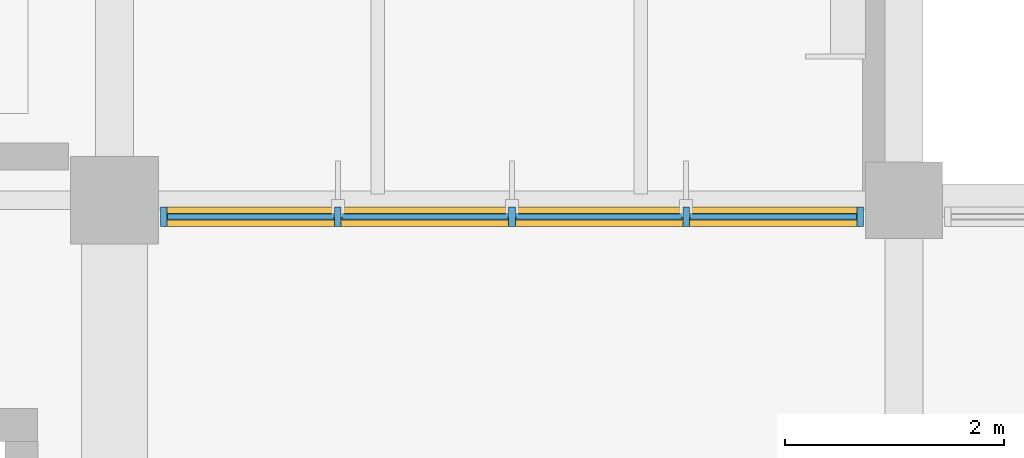
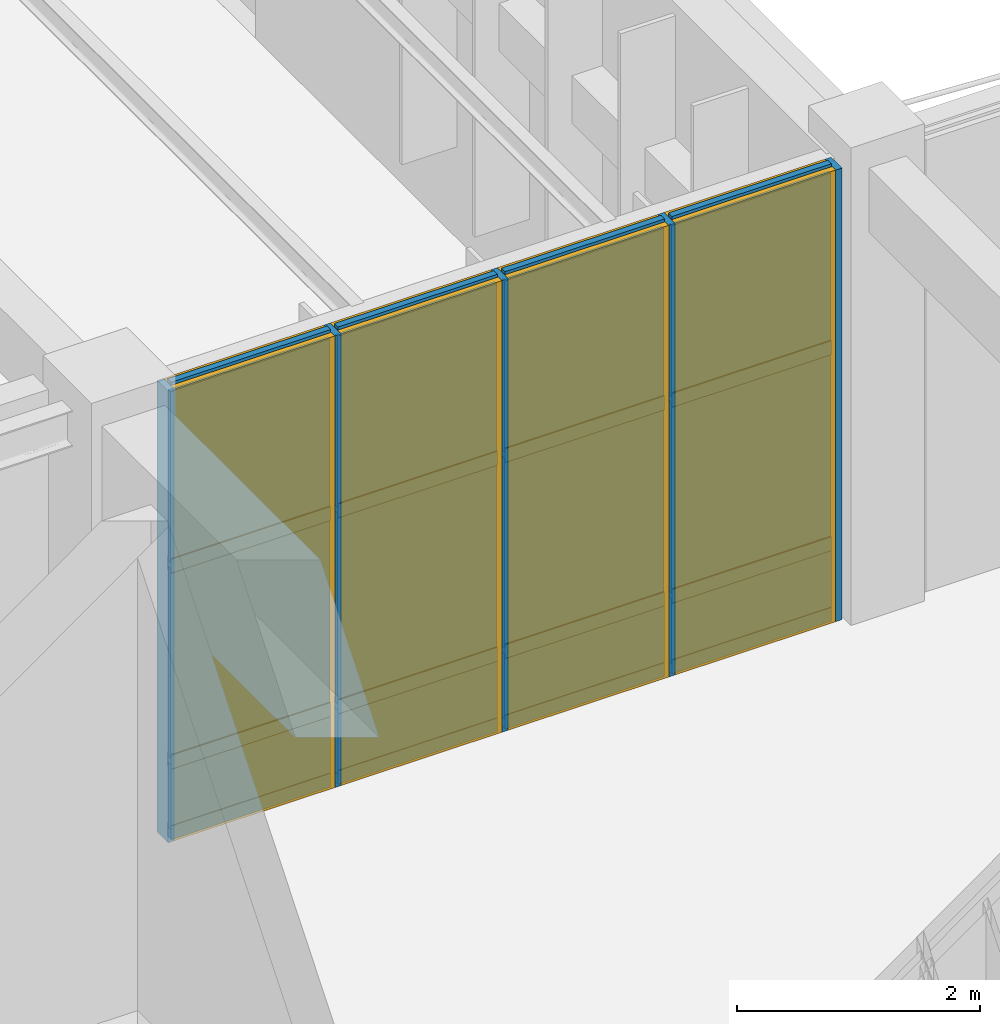
# One storey, part 90 of 122: 21 members, 12 plates, 1 curtain wall.
"""IFC4 building model written with IfcOpenShell, lengths in metres."""

import ifcopenshell
import ifcopenshell.guid

model = None  # the IFC model being written
_history = None  # IfcOwnerHistory: only IFC2X3 demands one
_inside = {}  # id of a spatial element -> (the spatial element, [elements in it])
_under = {}  # id of a project, library or spatial element -> (it, [spatial elements below it])
_declared = {}  # id of a project -> (the project, [libraries it declares])
_typed = {}  # id of a type object -> (the type object, [elements of that type])
_made_of = {}  # id of a material, layer set ... -> (it, [elements and type objects made of it])


def new_model(schema):
    """Start an empty IFC model of exactly this schema.

    Asked for "IFC4X3", IfcOpenShell would pick the latest addendum, in which some entities
    have other attributes; the version numbers below select the first issue.
    IFC2X3 requires an IfcOwnerHistory on every rooted entity: one is made here for all.
    """
    global model, _history
    if schema == "IFC4X3":
        model = ifcopenshell.file(schema_version=(4, 3, 0, 0))
    else:
        model = ifcopenshell.file(schema=schema)
    _inside.clear()
    _under.clear()
    _declared.clear()
    _typed.clear()
    _made_of.clear()
    _history = None
    if model.schema == "IFC2X3":
        org = make("IfcOrganization", Name="unknown")
        user = make(
            "IfcPersonAndOrganization",
            ThePerson=make("IfcPerson", FamilyName="unknown"),
            TheOrganization=org,
        )
        app = make(
            "IfcApplication",
            ApplicationDeveloper=org,
            Version="unknown",
            ApplicationFullName="unknown",
            ApplicationIdentifier="unknown",
        )
        _history = make(
            "IfcOwnerHistory",
            OwningUser=user,
            OwningApplication=app,
            ChangeAction="ADDED",
            CreationDate=0,
        )
    return model


def make(cls, **values):
    """One entity of the class cls with the attributes given. An attribute that is None is left unset."""
    return model.create_entity(
        cls, **{name: value for name, value in values.items() if value is not None}
    )


def rooted(cls, **values):
    """An entity with a GlobalId (a new one), such as an element, a storey or a relation."""
    return make(cls, GlobalId=ifcopenshell.guid.new(), OwnerHistory=_history, **values)


def si_unit(unit_type, name, prefix=None):
    """IfcSIUnit, for example si_unit("LENGTHUNIT", "METRE", prefix="MILLI")."""
    return make("IfcSIUnit", UnitType=unit_type, Prefix=prefix, Name=name)


def assignment(units):
    """IfcUnitAssignment: the units of a project."""
    return None if units is None else make("IfcUnitAssignment", Units=units)


def point(xyz):
    """IfcCartesianPoint."""
    return None if xyz is None else make("IfcCartesianPoint", Coordinates=xyz)


def direction(xyz):
    """IfcDirection."""
    return None if xyz is None else make("IfcDirection", DirectionRatios=xyz)


def frame(location, z_axis=None, x_axis=None):
    """IfcAxis2Placement3D, a coordinate frame: its origin and axes. An axis left out is left unset."""
    return make(
        "IfcAxis2Placement3D",
        Location=point(location),
        Axis=direction(z_axis),
        RefDirection=direction(x_axis),
    )


def frame_2d(location, x_axis=None):
    """IfcAxis2Placement2D, a coordinate frame in the plane: its origin and x axis."""
    return make(
        "IfcAxis2Placement2D", Location=point(location), RefDirection=direction(x_axis)
    )


def origin():
    """The frame at (0, 0, 0) with its axes left unset."""
    return frame((0.0, 0.0, 0.0))


def origin_2d():
    """The frame at (0, 0) in the plane with its x axis left unset."""
    return frame_2d((0.0, 0.0))


def place(relative_to, where):
    """IfcLocalPlacement: puts the frame where relative to a parent placement (None: the world)."""
    return make(
        "IfcLocalPlacement", PlacementRelTo=relative_to, RelativePlacement=where
    )


def context(
    kind, dimensions, precision=None, world=None, true_north=None, identifier=None
):
    """IfcGeometricRepresentationContext, for example the 3D "Model" context."""
    return make(
        "IfcGeometricRepresentationContext",
        ContextIdentifier=identifier,
        ContextType=kind,
        CoordinateSpaceDimension=dimensions,
        Precision=precision,
        WorldCoordinateSystem=world,
        TrueNorth=true_north,
    )


def subcontext(parent, identifier, kind, view, scale=None):
    """IfcGeometricRepresentationSubContext, for example "Body" below "Model"."""
    return make(
        "IfcGeometricRepresentationSubContext",
        ContextIdentifier=identifier,
        ContextType=kind,
        ParentContext=parent,
        TargetScale=scale,
        TargetView=view,
    )


def project(units=None, contexts=None):
    """IfcProject with its units and contexts."""
    return rooted(
        "IfcProject",
        Name="project",
        RepresentationContexts=contexts,
        UnitsInContext=assignment(units),
    )


def spatial(cls, under=None, at=None, **own):
    """A site, building, storey or space (cls), placed at a placement, below another one or the project."""
    s = rooted(cls, ObjectPlacement=at, **own)
    if under is not None:
        _under.setdefault(under.id(), (under, []))[1].append(s)
    return s


def profile(cls, at=None, kind="AREA", **sizes):
    """A parametric profile (cls). Its sizes go by their IFC names, for example OverallWidth=200.0."""
    return make(cls, ProfileType=kind, Position=at, **sizes)


def rectangle(**sizes):
    """IfcRectangleProfileDef."""
    return profile("IfcRectangleProfileDef", **sizes)


def extrude(swept, where, along, depth):
    """IfcExtrudedAreaSolid: the profile swept, set in the frame where, extruded along a direction by depth."""
    return make(
        "IfcExtrudedAreaSolid",
        SweptArea=swept,
        Position=where,
        ExtrudedDirection=direction(along),
        Depth=depth,
    )


def shape(context_of_items, identifier, shape_type, items):
    """IfcShapeRepresentation: the items that make up one representation, for example the "Body"."""
    return make(
        "IfcShapeRepresentation",
        ContextOfItems=context_of_items,
        RepresentationIdentifier=identifier,
        RepresentationType=shape_type,
        Items=items,
    )


def material(Name=None, Category=None):
    """IfcMaterial."""
    return make("IfcMaterial", Name=Name, Category=Category)


def layer(
    of_material, thickness, ventilated=None, Name=None, Category=None, Priority=None
):
    """IfcMaterialLayer: one layer of a wall or slab, of a material (None: an air gap)."""
    return make(
        "IfcMaterialLayer",
        Material=of_material,
        LayerThickness=thickness,
        IsVentilated=ventilated,
        Name=Name,
        Category=Category,
        Priority=Priority,
    )


def layer_set(layers, Name=None):
    """IfcMaterialLayerSet."""
    return make("IfcMaterialLayerSet", MaterialLayers=layers, LayerSetName=Name)


def material_profile(
    of_material, cross_section, Name=None, Category=None, Priority=None
):
    """IfcMaterialProfile: a cross section and its material."""
    return make(
        "IfcMaterialProfile",
        Name=Name,
        Material=of_material,
        Profile=cross_section,
        Priority=Priority,
        Category=Category,
    )


def profile_set(profiles, Name=None, composite=None):
    """IfcMaterialProfileSet."""
    return make(
        "IfcMaterialProfileSet",
        Name=Name,
        MaterialProfiles=profiles,
        CompositeProfile=composite,
    )


def made_of(thing, what):
    """Note that an element or type object is made of a material, layer set ...; save() writes the relation."""
    if what is not None:
        _made_of.setdefault(what.id(), (what, []))[1].append(thing)
    return thing


def type_object(cls, material=None, **own):
    """A type object (cls), such as IfcWallType, which elements share."""
    return made_of(rooted(cls, **own), material)


def element(
    cls,
    number,
    at=None,
    inside=None,
    cuts=None,
    type_object=None,
    material=None,
    context=None,
    identifier="Body",
    shape_type=None,
    held_by="IfcProductDefinitionShape",
    body=None,
    shapes=None,
    **own,
):
    """One element of the class cls, such as IfcWall. Its Tag is "e" and its number.

    at: its placement. inside: the storey or other place that contains it. cuts: it is an
    opening in that element (IfcRelVoidsElement). A single representation is given by context,
    identifier, shape_type and body (its items); several are given by shapes. held_by: the class
    of the entity that holds the representations. save() writes the other relations.
    """
    e = rooted(cls, Tag="e%d" % number, ObjectPlacement=at, **own)
    if body is not None:
        shapes = [shape(context, identifier, shape_type, body)]
    if shapes is not None:
        e.Representation = make(held_by, Representations=shapes)
    if inside is not None:
        _inside.setdefault(inside.id(), (inside, []))[1].append(e)
    if cuts is not None:
        rooted(
            "IfcRelVoidsElement", RelatingBuildingElement=cuts, RelatedOpeningElement=e
        )
    if type_object is not None:
        _typed.setdefault(type_object.id(), (type_object, []))[1].append(e)
    return made_of(e, material)


def aggregate(whole, parts):
    """IfcRelAggregates: a whole, such as a stair, and the parts it consists of."""
    return rooted("IfcRelAggregates", RelatingObject=whole, RelatedObjects=parts)


def save(model, path):
    """Write the relations noted so far, then the file.

    IfcRelAggregates (storeys below a building ...), IfcRelContainedInSpatialStructure (elements
    in a storey), IfcRelDefinesByType, IfcRelAssociatesMaterial and IfcRelDeclares: one each for
    every whole, place, type object, material and project.
    """
    for whole, parts in _under.values():
        aggregate(whole, parts)
    for where, things in _inside.values():
        rooted(
            "IfcRelContainedInSpatialStructure",
            RelatedElements=things,
            RelatingStructure=where,
        )
    for kind, things in _typed.values():
        rooted("IfcRelDefinesByType", RelatedObjects=things, RelatingType=kind)
    for what, things in _made_of.values():
        rooted("IfcRelAssociatesMaterial", RelatedObjects=things, RelatingMaterial=what)
    for by, libraries in _declared.values():
        rooted("IfcRelDeclares", RelatingContext=by, RelatedDefinitions=libraries)
    model.write(path)


model = new_model("IFC4")

# Units and contexts
model_context = context("Model", 3, precision=1e-05, world=origin(), true_north=direction((0.0, 1.0)))
body_context = subcontext(model_context, "Body", "Model", "MODEL_VIEW")
ifc_project = project(units=[si_unit("LENGTHUNIT", "METRE"), si_unit("AREAUNIT", "SQUARE_METRE"), si_unit("VOLUMEUNIT", "CUBIC_METRE"), si_unit("PLANEANGLEUNIT", "RADIAN"), si_unit("MASSUNIT", "GRAM", prefix="KILO")], contexts=[model_context])

# Member
ifc_material_1 = material(Name="Anodised Bronze Aluminium 6063-T6", Category="aluminium")
ifc_material_profile_1 = material_profile(ifc_material_1, rectangle(XDim=0.06005859375, YDim=0.179931640625, at=origin_2d()), Name="ALU MULLION 60x180")
ifc_profile_set_1 = profile_set([ifc_material_profile_1], Name="Anodised Bronze Aluminium 6063-T6")
member_type_1 = type_object("IfcMemberType", Name="Curtain-Wall Primary Mullion 60x180", PredefinedType="MULLION", material=ifc_profile_set_1)
site_placement = place(None, origin())
building_placement = place(site_placement, origin())
storey_placement = place(building_placement, origin())
member_1_placement = place(storey_placement, frame((95.85009765625, 51.64990234375, 0.0), z_axis=(0.0, 0.0, 1.0), x_axis=(1.0, 0.0, 0.0)))
member_1 = element("IfcMember", 1, at=member_1_placement, type_object=member_type_1, Name="Mullion CWM-01 CW-ELNK-N-L00-B1-M01", PredefinedType="MULLION", context=body_context, shape_type="SweptSolid", body=[
    extrude(rectangle(XDim=0.06005859375, YDim=0.179931640625, at=origin_2d()), origin(), (0.0, 0.0, 1.0), 4.5400390625),
])

member_2_placement = place(storey_placement, frame((97.4375, 51.64990234375, 0.0), z_axis=(0.0, 0.0, 1.0), x_axis=(1.0, 0.0, 0.0)))
member_2 = element("IfcMember", 2, at=member_2_placement, type_object=member_type_1, Name="Mullion CWM-01 CW-ELNK-N-L00-B1-M02", PredefinedType="MULLION", context=body_context, shape_type="SweptSolid", body=[
    extrude(rectangle(XDim=0.06005859375, YDim=0.179931640625, at=origin_2d()), origin(), (0.0, 0.0, 1.0), 4.5400390625),
])

member_3_placement = place(storey_placement, frame((99.02490234375, 51.64990234375, 0.0), z_axis=(0.0, 0.0, 1.0), x_axis=(1.0, 0.0, 0.0)))
member_3 = element("IfcMember", 3, at=member_3_placement, type_object=member_type_1, Name="Mullion CWM-01 CW-ELNK-N-L00-B1-M03", PredefinedType="MULLION", context=body_context, shape_type="SweptSolid", body=[
    extrude(rectangle(XDim=0.06005859375, YDim=0.179931640625, at=origin_2d()), origin(), (0.0, 0.0, 1.0), 4.5400390625),
])

member_4_placement = place(storey_placement, frame((100.612548828125, 51.64990234375, 0.0), z_axis=(0.0, 0.0, 1.0), x_axis=(1.0, 0.0, 0.0)))
member_4 = element("IfcMember", 4, at=member_4_placement, type_object=member_type_1, Name="Mullion CWM-01 CW-ELNK-N-L00-B1-M04", PredefinedType="MULLION", context=body_context, shape_type="SweptSolid", body=[
    extrude(rectangle(XDim=0.06005859375, YDim=0.179931640625, at=origin_2d()), origin(), (0.0, 0.0, 1.0), 4.5400390625),
])

member_5_placement = place(storey_placement, frame((102.199951171875, 51.64990234375, 0.0), z_axis=(0.0, 0.0, 1.0), x_axis=(1.0, 0.0, 0.0)))
member_5 = element("IfcMember", 5, at=member_5_placement, type_object=member_type_1, Name="Mullion CWM-01 CW-ELNK-N-L00-B1-M05", PredefinedType="MULLION", context=body_context, shape_type="SweptSolid", body=[
    extrude(rectangle(XDim=0.06005859375, YDim=0.179931640625, at=origin_2d()), origin(), (0.0, 0.0, 1.0), 4.5400390625),
])

ifc_material_profile_2 = material_profile(ifc_material_1, rectangle(XDim=0.06005859375, YDim=0.139892578125, at=origin_2d()), Name="ALU TRANSOM 60x140")
ifc_profile_set_2 = profile_set([ifc_material_profile_2], Name="Anodised Bronze Aluminium 6063-T6")
member_type_2 = type_object("IfcMemberType", Name="Curtain-Wall Transom 60x140", PredefinedType="USERDEFINED", material=ifc_profile_set_2)
member_6_placement = place(storey_placement, frame((95.885009765625, 51.64990234375, 0.0400390625), z_axis=(1.0, 0.0, 0.0), x_axis=(0.0, 1.0, 0.0)))
member_6 = element("IfcMember", 6, at=member_6_placement, type_object=member_type_2, Name="Transom CWT-01 CW-ELNK-N-L00-B1-T01.1", ObjectType="TRANSOM", PredefinedType="USERDEFINED", context=body_context, shape_type="SweptSolid", body=[
    extrude(rectangle(XDim=0.06005859375, YDim=0.139892578125, at=origin_2d()), origin(), (0.0, 0.0, 1.0), 1.517578125),
])

member_7_placement = place(storey_placement, frame((95.885009765625, 51.64990234375, 0.75), z_axis=(1.0, 0.0, 0.0), x_axis=(0.0, 1.0, 0.0)))
member_7 = element("IfcMember", 7, at=member_7_placement, type_object=member_type_2, Name="Transom CWT-01 CW-ELNK-N-L00-B1-T01.2", ObjectType="TRANSOM", PredefinedType="USERDEFINED", context=body_context, shape_type="SweptSolid", body=[
    extrude(rectangle(XDim=0.06005859375, YDim=0.139892578125, at=origin_2d()), origin(), (0.0, 0.0, 1.0), 1.517578125),
])

member_8_placement = place(storey_placement, frame((95.885009765625, 51.64990234375, 2.720703125), z_axis=(1.0, 0.0, 0.0), x_axis=(0.0, 1.0, 0.0)))
member_8 = element("IfcMember", 8, at=member_8_placement, type_object=member_type_2, Name="Transom CWT-01 CW-ELNK-N-L00-B1-T01.3", ObjectType="TRANSOM", PredefinedType="USERDEFINED", context=body_context, shape_type="SweptSolid", body=[
    extrude(rectangle(XDim=0.06005859375, YDim=0.139892578125, at=origin_2d()), origin(), (0.0, 0.0, 1.0), 1.517578125),
])

member_9_placement = place(storey_placement, frame((95.885009765625, 51.64990234375, 4.5), z_axis=(1.0, 0.0, 0.0), x_axis=(0.0, 1.0, 0.0)))
member_9 = element("IfcMember", 9, at=member_9_placement, type_object=member_type_2, Name="Transom CWT-01 CW-ELNK-N-L00-B1-T01.4", ObjectType="TRANSOM", PredefinedType="USERDEFINED", context=body_context, shape_type="SweptSolid", body=[
    extrude(rectangle(XDim=0.06005859375, YDim=0.139892578125, at=origin_2d()), origin(), (0.0, 0.0, 1.0), 1.517578125),
])

member_10_placement = place(storey_placement, frame((97.472412109375, 51.64990234375, 0.0400390625), z_axis=(1.0, 0.0, 0.0), x_axis=(0.0, 1.0, 0.0)))
member_10 = element("IfcMember", 10, at=member_10_placement, type_object=member_type_2, Name="Transom CWT-01 CW-ELNK-N-L00-B1-T02.1", ObjectType="TRANSOM", PredefinedType="USERDEFINED", context=body_context, shape_type="SweptSolid", body=[
    extrude(rectangle(XDim=0.06005859375, YDim=0.139892578125, at=origin_2d()), origin(), (0.0, 0.0, 1.0), 1.517578125),
])

member_11_placement = place(storey_placement, frame((97.472412109375, 51.64990234375, 0.75), z_axis=(1.0, 0.0, 0.0), x_axis=(0.0, 1.0, 0.0)))
member_11 = element("IfcMember", 11, at=member_11_placement, type_object=member_type_2, Name="Transom CWT-01 CW-ELNK-N-L00-B1-T02.2", ObjectType="TRANSOM", PredefinedType="USERDEFINED", context=body_context, shape_type="SweptSolid", body=[
    extrude(rectangle(XDim=0.06005859375, YDim=0.139892578125, at=origin_2d()), origin(), (0.0, 0.0, 1.0), 1.517578125),
])

member_12_placement = place(storey_placement, frame((97.472412109375, 51.64990234375, 2.720703125), z_axis=(1.0, 0.0, 0.0), x_axis=(0.0, 1.0, 0.0)))
member_12 = element("IfcMember", 12, at=member_12_placement, type_object=member_type_2, Name="Transom CWT-01 CW-ELNK-N-L00-B1-T02.3", ObjectType="TRANSOM", PredefinedType="USERDEFINED", context=body_context, shape_type="SweptSolid", body=[
    extrude(rectangle(XDim=0.06005859375, YDim=0.139892578125, at=origin_2d()), origin(), (0.0, 0.0, 1.0), 1.517578125),
])

member_13_placement = place(storey_placement, frame((97.472412109375, 51.64990234375, 4.5), z_axis=(1.0, 0.0, 0.0), x_axis=(0.0, 1.0, 0.0)))
member_13 = element("IfcMember", 13, at=member_13_placement, type_object=member_type_2, Name="Transom CWT-01 CW-ELNK-N-L00-B1-T02.4", ObjectType="TRANSOM", PredefinedType="USERDEFINED", context=body_context, shape_type="SweptSolid", body=[
    extrude(rectangle(XDim=0.06005859375, YDim=0.139892578125, at=origin_2d()), origin(), (0.0, 0.0, 1.0), 1.517578125),
])

member_14_placement = place(storey_placement, frame((99.06005859375, 51.64990234375, 0.0400390625), z_axis=(1.0, 0.0, 0.0), x_axis=(0.0, 1.0, 0.0)))
member_14 = element("IfcMember", 14, at=member_14_placement, type_object=member_type_2, Name="Transom CWT-01 CW-ELNK-N-L00-B1-T03.1", ObjectType="TRANSOM", PredefinedType="USERDEFINED", context=body_context, shape_type="SweptSolid", body=[
    extrude(rectangle(XDim=0.06005859375, YDim=0.139892578125, at=origin_2d()), origin(), (0.0, 0.0, 1.0), 1.517333984375),
])

member_15_placement = place(storey_placement, frame((99.06005859375, 51.64990234375, 0.75), z_axis=(1.0, 0.0, 0.0), x_axis=(0.0, 1.0, 0.0)))
member_15 = element("IfcMember", 15, at=member_15_placement, type_object=member_type_2, Name="Transom CWT-01 CW-ELNK-N-L00-B1-T03.2", ObjectType="TRANSOM", PredefinedType="USERDEFINED", context=body_context, shape_type="SweptSolid", body=[
    extrude(rectangle(XDim=0.06005859375, YDim=0.139892578125, at=origin_2d()), origin(), (0.0, 0.0, 1.0), 1.517333984375),
])

member_16_placement = place(storey_placement, frame((99.06005859375, 51.64990234375, 2.720703125), z_axis=(1.0, 0.0, 0.0), x_axis=(0.0, 1.0, 0.0)))
member_16 = element("IfcMember", 16, at=member_16_placement, type_object=member_type_2, Name="Transom CWT-01 CW-ELNK-N-L00-B1-T03.3", ObjectType="TRANSOM", PredefinedType="USERDEFINED", context=body_context, shape_type="SweptSolid", body=[
    extrude(rectangle(XDim=0.06005859375, YDim=0.139892578125, at=origin_2d()), origin(), (0.0, 0.0, 1.0), 1.517333984375),
])

member_17_placement = place(storey_placement, frame((99.06005859375, 51.64990234375, 4.5), z_axis=(1.0, 0.0, 0.0), x_axis=(0.0, 1.0, 0.0)))
member_17 = element("IfcMember", 17, at=member_17_placement, type_object=member_type_2, Name="Transom CWT-01 CW-ELNK-N-L00-B1-T03.4", ObjectType="TRANSOM", PredefinedType="USERDEFINED", context=body_context, shape_type="SweptSolid", body=[
    extrude(rectangle(XDim=0.06005859375, YDim=0.139892578125, at=origin_2d()), origin(), (0.0, 0.0, 1.0), 1.517333984375),
])

member_18_placement = place(storey_placement, frame((100.6474609375, 51.64990234375, 0.0400390625), z_axis=(1.0, 0.0, 0.0), x_axis=(0.0, 1.0, 0.0)))
member_18 = element("IfcMember", 18, at=member_18_placement, type_object=member_type_2, Name="Transom CWT-01 CW-ELNK-N-L00-B1-T04.1", ObjectType="TRANSOM", PredefinedType="USERDEFINED", context=body_context, shape_type="SweptSolid", body=[
    extrude(rectangle(XDim=0.06005859375, YDim=0.139892578125, at=origin_2d()), origin(), (0.0, 0.0, 1.0), 1.517578125),
])

member_19_placement = place(storey_placement, frame((100.6474609375, 51.64990234375, 0.75), z_axis=(1.0, 0.0, 0.0), x_axis=(0.0, 1.0, 0.0)))
member_19 = element("IfcMember", 19, at=member_19_placement, type_object=member_type_2, Name="Transom CWT-01 CW-ELNK-N-L00-B1-T04.2", ObjectType="TRANSOM", PredefinedType="USERDEFINED", context=body_context, shape_type="SweptSolid", body=[
    extrude(rectangle(XDim=0.06005859375, YDim=0.139892578125, at=origin_2d()), origin(), (0.0, 0.0, 1.0), 1.517578125),
])

member_20_placement = place(storey_placement, frame((100.6474609375, 51.64990234375, 2.720703125), z_axis=(1.0, 0.0, 0.0), x_axis=(0.0, 1.0, 0.0)))
member_20 = element("IfcMember", 20, at=member_20_placement, type_object=member_type_2, Name="Transom CWT-01 CW-ELNK-N-L00-B1-T04.3", ObjectType="TRANSOM", PredefinedType="USERDEFINED", context=body_context, shape_type="SweptSolid", body=[
    extrude(rectangle(XDim=0.06005859375, YDim=0.139892578125, at=origin_2d()), origin(), (0.0, 0.0, 1.0), 1.517578125),
])

member_21_placement = place(storey_placement, frame((100.6474609375, 51.64990234375, 4.5), z_axis=(1.0, 0.0, 0.0), x_axis=(0.0, 1.0, 0.0)))
member_21 = element("IfcMember", 21, at=member_21_placement, type_object=member_type_2, Name="Transom CWT-01 CW-ELNK-N-L00-B1-T04.4", ObjectType="TRANSOM", PredefinedType="USERDEFINED", context=body_context, shape_type="SweptSolid", body=[
    extrude(rectangle(XDim=0.06005859375, YDim=0.139892578125, at=origin_2d()), origin(), (0.0, 0.0, 1.0), 1.517578125),
])

# Plate
ifc_material_2 = material(Name="Insulated Bronze Aluminium Spandrel Panel", Category="aluminium")
ifc_layer_1 = layer(ifc_material_2, 0.050048828125, Name="Insulated Bronze Aluminium Spandrel Panel")
ifc_layer_set_1 = layer_set([ifc_layer_1], Name="Insulated Bronze Aluminium Spandrel Panel")
plate_type_1 = type_object("IfcPlateType", Name="Insulated Anodised Aluminium Spandrel Cassette 50", PredefinedType="CURTAIN_PANEL", material=ifc_layer_set_1)
plate_1_placement = place(storey_placement, frame((96.643798828125, 51.64990234375, 0.070068359375), z_axis=(0.0, 0.0, 1.0), x_axis=(1.0, 0.0, 0.0)))
plate_1 = element("IfcPlate", 22, at=plate_1_placement, type_object=plate_type_1, Name="Curtain Panel CWP-03 CW-ELNK-N-L00-B1-P01.1", PredefinedType="CURTAIN_PANEL", context=body_context, shape_type="SweptSolid", body=[
    extrude(rectangle(XDim=1.517578125, YDim=0.050048828125, at=origin_2d()), origin(), (0.0, 0.0, 1.0), 0.64990234375),
])

plate_2_placement = place(storey_placement, frame((98.231201171875, 51.64990234375, 0.070068359375), z_axis=(0.0, 0.0, 1.0), x_axis=(1.0, 0.0, 0.0)))
plate_2 = element("IfcPlate", 23, at=plate_2_placement, type_object=plate_type_1, Name="Curtain Panel CWP-03 CW-ELNK-N-L00-B1-P02.1", PredefinedType="CURTAIN_PANEL", context=body_context, shape_type="SweptSolid", body=[
    extrude(rectangle(XDim=1.517578125, YDim=0.050048828125, at=origin_2d()), origin(), (0.0, 0.0, 1.0), 0.64990234375),
])

plate_3_placement = place(storey_placement, frame((99.818603515625, 51.64990234375, 0.070068359375), z_axis=(0.0, 0.0, 1.0), x_axis=(1.0, 0.0, 0.0)))
plate_3 = element("IfcPlate", 24, at=plate_3_placement, type_object=plate_type_1, Name="Curtain Panel CWP-03 CW-ELNK-N-L00-B1-P03.1", PredefinedType="CURTAIN_PANEL", context=body_context, shape_type="SweptSolid", body=[
    extrude(rectangle(XDim=1.517578125, YDim=0.050048828125, at=origin_2d()), origin(), (0.0, 0.0, 1.0), 0.64990234375),
])

plate_4_placement = place(storey_placement, frame((101.40625, 51.64990234375, 0.070068359375), z_axis=(0.0, 0.0, 1.0), x_axis=(1.0, 0.0, 0.0)))
plate_4 = element("IfcPlate", 25, at=plate_4_placement, type_object=plate_type_1, Name="Curtain Panel CWP-03 CW-ELNK-N-L00-B1-P04.1", PredefinedType="CURTAIN_PANEL", context=body_context, shape_type="SweptSolid", body=[
    extrude(rectangle(XDim=1.517578125, YDim=0.050048828125, at=origin_2d()), origin(), (0.0, 0.0, 1.0), 0.64990234375),
])

ifc_material_3 = material(Name="Solar-Control Tempered Double Glazing", Category="glass")
ifc_layer_2 = layer(ifc_material_3, 0.0380859375, Name="Solar-Control Tempered Double Glazing")
ifc_layer_set_2 = layer_set([ifc_layer_2], Name="Solar-Control Tempered Double Glazing")
plate_type_2 = type_object("IfcPlateType", Name="Solar-Control Vision Glazing Unit 38", PredefinedType="CURTAIN_PANEL", material=ifc_layer_set_2)
plate_5_placement = place(storey_placement, frame((96.643798828125, 51.64990234375, 0.77978515625), z_axis=(0.0, 0.0, 1.0), x_axis=(1.0, 0.0, 0.0)))
plate_5 = element("IfcPlate", 26, at=plate_5_placement, type_object=plate_type_2, Name="Curtain Panel CWP-02 CW-ELNK-N-L00-B1-P01.2", PredefinedType="CURTAIN_PANEL", context=body_context, shape_type="SweptSolid", body=[
    extrude(rectangle(XDim=1.517578125, YDim=0.0380859375, at=origin_2d()), origin(), (0.0, 0.0, 1.0), 1.910888671875),
])

plate_6_placement = place(storey_placement, frame((96.643798828125, 51.64990234375, 2.750732421875), z_axis=(0.0, 0.0, 1.0), x_axis=(1.0, 0.0, 0.0)))
plate_6 = element("IfcPlate", 27, at=plate_6_placement, type_object=plate_type_2, Name="Curtain Panel CWP-02 CW-ELNK-N-L00-B1-P01.3", PredefinedType="CURTAIN_PANEL", context=body_context, shape_type="SweptSolid", body=[
    extrude(rectangle(XDim=1.517578125, YDim=0.0380859375, at=origin_2d()), origin(), (0.0, 0.0, 1.0), 1.71923828125),
])

plate_7_placement = place(storey_placement, frame((98.231201171875, 51.64990234375, 0.77978515625), z_axis=(0.0, 0.0, 1.0), x_axis=(1.0, 0.0, 0.0)))
plate_7 = element("IfcPlate", 28, at=plate_7_placement, type_object=plate_type_2, Name="Curtain Panel CWP-02 CW-ELNK-N-L00-B1-P02.2", PredefinedType="CURTAIN_PANEL", context=body_context, shape_type="SweptSolid", body=[
    extrude(rectangle(XDim=1.517578125, YDim=0.0380859375, at=origin_2d()), origin(), (0.0, 0.0, 1.0), 1.910888671875),
])

plate_8_placement = place(storey_placement, frame((98.231201171875, 51.64990234375, 2.750732421875), z_axis=(0.0, 0.0, 1.0), x_axis=(1.0, 0.0, 0.0)))
plate_8 = element("IfcPlate", 29, at=plate_8_placement, type_object=plate_type_2, Name="Curtain Panel CWP-02 CW-ELNK-N-L00-B1-P02.3", PredefinedType="CURTAIN_PANEL", context=body_context, shape_type="SweptSolid", body=[
    extrude(rectangle(XDim=1.517578125, YDim=0.0380859375, at=origin_2d()), origin(), (0.0, 0.0, 1.0), 1.71923828125),
])

plate_9_placement = place(storey_placement, frame((99.818603515625, 51.64990234375, 0.77978515625), z_axis=(0.0, 0.0, 1.0), x_axis=(1.0, 0.0, 0.0)))
plate_9 = element("IfcPlate", 30, at=plate_9_placement, type_object=plate_type_2, Name="Curtain Panel CWP-02 CW-ELNK-N-L00-B1-P03.2", PredefinedType="CURTAIN_PANEL", context=body_context, shape_type="SweptSolid", body=[
    extrude(rectangle(XDim=1.517578125, YDim=0.0380859375, at=origin_2d()), origin(), (0.0, 0.0, 1.0), 1.910888671875),
])

plate_10_placement = place(storey_placement, frame((99.818603515625, 51.64990234375, 2.750732421875), z_axis=(0.0, 0.0, 1.0), x_axis=(1.0, 0.0, 0.0)))
plate_10 = element("IfcPlate", 31, at=plate_10_placement, type_object=plate_type_2, Name="Curtain Panel CWP-02 CW-ELNK-N-L00-B1-P03.3", PredefinedType="CURTAIN_PANEL", context=body_context, shape_type="SweptSolid", body=[
    extrude(rectangle(XDim=1.517578125, YDim=0.0380859375, at=origin_2d()), origin(), (0.0, 0.0, 1.0), 1.71923828125),
])

plate_11_placement = place(storey_placement, frame((101.40625, 51.64990234375, 0.77978515625), z_axis=(0.0, 0.0, 1.0), x_axis=(1.0, 0.0, 0.0)))
plate_11 = element("IfcPlate", 32, at=plate_11_placement, type_object=plate_type_2, Name="Curtain Panel CWP-02 CW-ELNK-N-L00-B1-P04.2", PredefinedType="CURTAIN_PANEL", context=body_context, shape_type="SweptSolid", body=[
    extrude(rectangle(XDim=1.517578125, YDim=0.0380859375, at=origin_2d()), origin(), (0.0, 0.0, 1.0), 1.910888671875),
])

plate_12_placement = place(storey_placement, frame((101.40625, 51.64990234375, 2.750732421875), z_axis=(0.0, 0.0, 1.0), x_axis=(1.0, 0.0, 0.0)))
plate_12 = element("IfcPlate", 33, at=plate_12_placement, type_object=plate_type_2, Name="Curtain Panel CWP-02 CW-ELNK-N-L00-B1-P04.3", PredefinedType="CURTAIN_PANEL", context=body_context, shape_type="SweptSolid", body=[
    extrude(rectangle(XDim=1.517578125, YDim=0.0380859375, at=origin_2d()), origin(), (0.0, 0.0, 1.0), 1.71923828125),
])

# Site, building, storey
site = spatial("IfcSite", under=ifc_project, at=site_placement, CompositionType="ELEMENT")
building = spatial("IfcBuilding", under=site, at=building_placement, Name="Tazoul Stagehouse", CompositionType="ELEMENT")
storey = spatial("IfcBuildingStorey", under=building, at=storey_placement, Name="L00", CompositionType="ELEMENT", Elevation=0.0)

# Curtain wall
curtain_wall_type = type_object("IfcCurtainWallType", Name="Atrium Clerestory Glazed Wall", PredefinedType="NOTDEFINED", material=ifc_material_1)
curtain_wall_placement = place(storey_placement, frame((95.85009765625, 51.64990234375, 0.0), z_axis=(0.0, 0.0, 1.0), x_axis=(1.0, 0.0, 0.0)))
curtain_wall = element("IfcCurtainWall", 34, at=curtain_wall_placement, inside=storey, type_object=curtain_wall_type, Name="L00 Curtain Wall CW-05 (CW-ELNK-N-L00-B1)", PredefinedType="NOTDEFINED", context=body_context, shape_type="SweptSolid", body=[
    extrude(rectangle(XDim=6.349853515625, YDim=0.179931640625, at=frame_2d((3.1748046875, 0.0))), origin(), (0.0, 0.0, 1.0), 4.5400390625),
])

aggregate(curtain_wall, [member_1, member_2, member_3, member_4, member_5, member_6, member_7, member_8, member_9, plate_1, plate_5, plate_6, member_10, member_11, member_12, member_13, plate_2, plate_7, plate_8, member_14, member_15, member_16, member_17, plate_3, plate_9, plate_10, member_18, member_19, member_20, member_21, plate_4, plate_11, plate_12])

save(model, "model.ifc")
